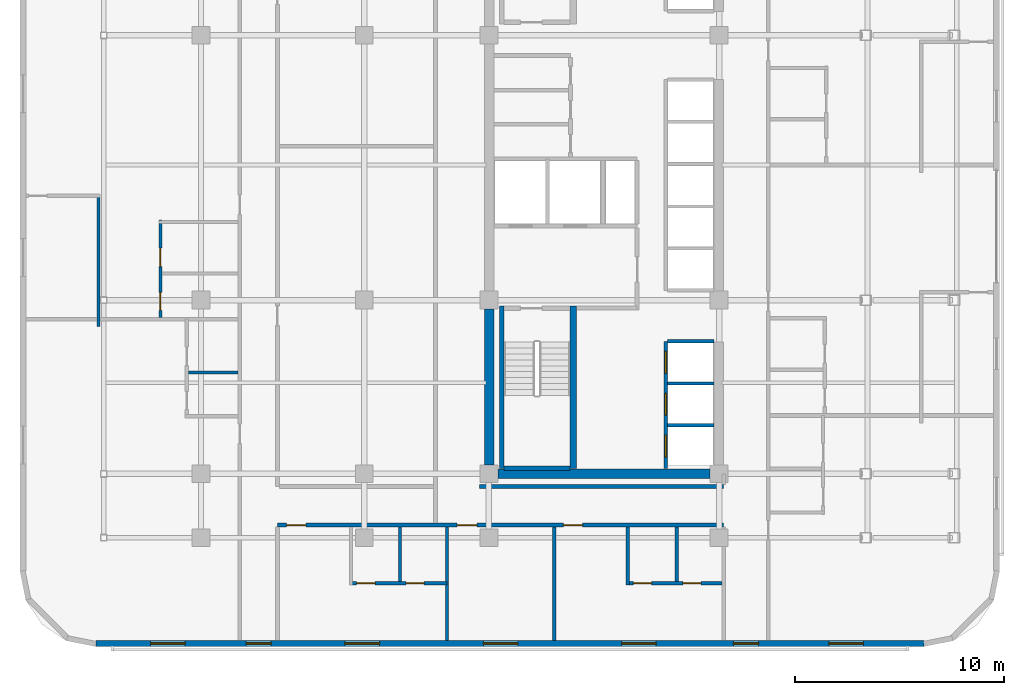
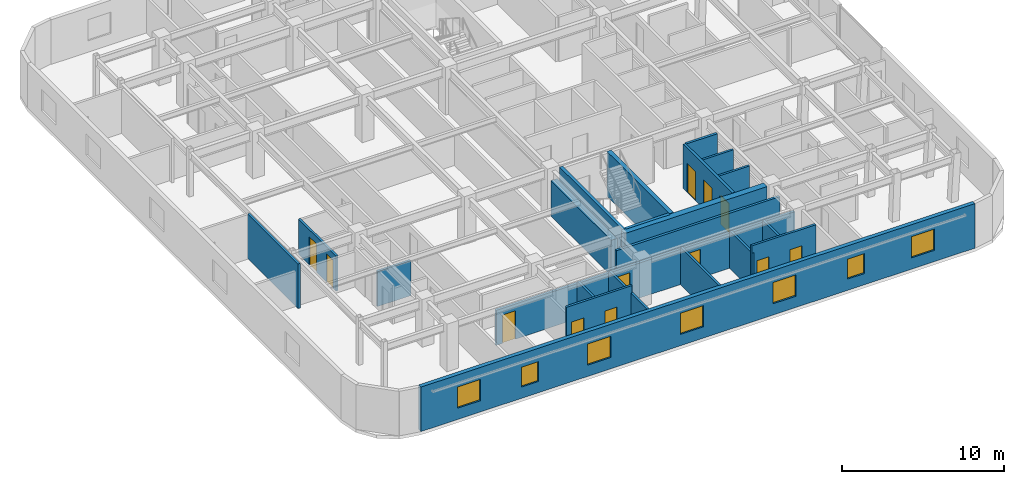
# One storey, part 7 of 15: 22 walls, 12 doors, 7 windows, 19 openings.
"""IFC4 building model written with IfcOpenShell, lengths in metres."""

from ifc_helpers import new_model, si_unit, direction, frame, frame_2d, origin, place, context, subcontext, project, spatial, rectangle, extrude, material, layer, layer_set, type_object, element, fill, save


model = new_model("IFC4")

# Units and contexts
model_context = context("Model", 3, precision=1e-05, world=origin(), true_north=direction((0.0, 1.0)))
body_context = subcontext(model_context, "Body", "Model", "MODEL_VIEW")
ifc_project = project(units=[si_unit("LENGTHUNIT", "METRE"), si_unit("AREAUNIT", "SQUARE_METRE"), si_unit("VOLUMEUNIT", "CUBIC_METRE"), si_unit("PLANEANGLEUNIT", "RADIAN"), si_unit("MASSUNIT", "GRAM", prefix="KILO")], contexts=[model_context])

# Site, building, storey
site_placement = place(None, origin())
site = spatial("IfcSite", under=ifc_project, at=site_placement, CompositionType="ELEMENT")
building_placement = place(site_placement, origin())
building = spatial("IfcBuilding", under=site, at=building_placement, Name="Ochreholt Gables", CompositionType="ELEMENT")
storey_placement = place(building_placement, frame((0.0, 0.0, 64.199951171875)))
storey = spatial("IfcBuildingStorey", under=building, at=storey_placement, Name="L16", CompositionType="ELEMENT", Elevation=64.199951171875)

# Walls
ifc_material_1 = material(Name="Concrete 60 MPa", Category="concrete")
ifc_layer_1 = layer(ifc_material_1, 0.449951171875, Name="Concrete 60 MPa")
ifc_layer_set_1 = layer_set([ifc_layer_1], Name="Concrete 60 MPa")
wall_type_1 = type_object("IfcWallType", Name="WALL-CSW-450", PredefinedType="SHEAR", material=ifc_layer_set_1)
wall_1_placement = place(storey_placement, frame((24.22509765625, 9.675048828125, 0.0), z_axis=(0.0, 0.0, 1.0), x_axis=(0.0, 1.0, 0.0)))
element("IfcWall", 1, at=wall_1_placement, inside=storey, type_object=wall_type_1, Name="L16 Core West Shear Wall WS", PredefinedType="SHEAR", context=body_context, shape_type="SweptSolid", body=[
    extrude(rectangle(XDim=7.449951171875, YDim=0.449951171875, at=frame_2d((3.72509765625, 0.0))), origin(), (0.0, 0.0, 1.0), 2.6669921875),
])
wall_2_placement = place(storey_placement, frame((24.625, 9.25, 0.0), z_axis=(0.0, 0.0, 1.0), x_axis=(1.0, 0.0, 0.0)))
element("IfcWall", 2, at=wall_2_placement, inside=storey, type_object=wall_type_1, Name="L16 Core South Shear Wall", PredefinedType="SHEAR", context=body_context, shape_type="SweptSolid", body=[
    extrude(rectangle(XDim=10.14990234375, YDim=0.449951171875, at=frame_2d((5.074951171875, 0.0))), origin(), (0.0, 0.0, 1.0), 3.360107421875),
])

# Wall, openings, windows
ifc_material_2 = material(Name="Precast concrete 40 MPa", Category="concrete")
ifc_layer_2 = layer(ifc_material_2, 0.2900390625, Name="Precast concrete 40 MPa")
ifc_layer_set_2 = layer_set([ifc_layer_2], Name="Precast concrete 40 MPa")
wall_type_2 = type_object("IfcWallType", Name="WALL-EXT-290", PredefinedType="SOLIDWALL", material=ifc_layer_set_2)
wall_3_placement = place(storey_placement, frame((5.419921875, 1.14501953125, 0.0), z_axis=(0.0, 0.0, 1.0), x_axis=(1.0, 0.0, 0.0)))
wall_3 = element("IfcWall", 3, at=wall_3_placement, inside=storey, type_object=wall_type_2, Name="L16 South Exterior Wall", PredefinedType="SOLIDWALL", context=body_context, shape_type="SweptSolid", body=[
    extrude(rectangle(XDim=39.56005859375, YDim=0.2900390625, at=frame_2d((19.780029296875, 0.0))), origin(), (0.0, 0.0, 1.0), 3.360107421875),
])
opening_1_placement = place(wall_3_placement, frame((2.614990234375, 0.0, 0.85009765625)))
opening_1 = element("IfcOpeningElement", 4, at=opening_1_placement, cuts=wall_3, Name="Opening WN-7", PredefinedType="OPENING", context=body_context, shape_type="SweptSolid", body=[
    extrude(rectangle(XDim=1.64990234375, YDim=1.60009765625, at=frame_2d((0.824951171875, 0.800048828125))), frame((0.0, 0.155029296875, 0.0), z_axis=(0.0, -1.0, 0.0), x_axis=(1.0, 0.0, 0.0)), (0.0, 0.0, 1.0), 0.31005859375),
])
opening_2_placement = place(wall_3_placement, frame((7.179931640625, 0.0, 0.85009765625)))
opening_2 = element("IfcOpeningElement", 5, at=opening_2_placement, cuts=wall_3, Name="Opening WN-3", PredefinedType="OPENING", context=body_context, shape_type="SweptSolid", body=[
    extrude(rectangle(XDim=1.199951171875, YDim=1.5, at=frame_2d((0.60009765625, 0.75))), frame((0.0, 0.155029296875, 0.0), z_axis=(0.0, -1.0, 0.0), x_axis=(1.0, 0.0, 0.0)), (0.0, 0.0, 1.0), 0.31005859375),
])
opening_3_placement = place(wall_3_placement, frame((11.90576171875, 0.0, 0.85009765625)))
opening_3 = element("IfcOpeningElement", 6, at=opening_3_placement, cuts=wall_3, Name="Opening WN-7", PredefinedType="OPENING", context=body_context, shape_type="SweptSolid", body=[
    extrude(rectangle(XDim=1.64990234375, YDim=1.60009765625, at=frame_2d((0.824951171875, 0.800048828125))), frame((0.0, 0.155029296875, 0.0), z_axis=(0.0, -1.0, 0.0), x_axis=(1.0, 0.0, 0.0)), (0.0, 0.0, 1.0), 0.31005859375),
])
opening_4_placement = place(wall_3_placement, frame((18.514892578125, 0.0, 0.85009765625)))
opening_4 = element("IfcOpeningElement", 7, at=opening_4_placement, cuts=wall_3, Name="Opening WN-7", PredefinedType="OPENING", context=body_context, shape_type="SweptSolid", body=[
    extrude(rectangle(XDim=1.64990234375, YDim=1.60009765625, at=frame_2d((0.824951171875, 0.800048828125))), frame((0.0, 0.155029296875, 0.0), z_axis=(0.0, -1.0, 0.0), x_axis=(1.0, 0.0, 0.0)), (0.0, 0.0, 1.0), 0.31005859375),
])
opening_5_placement = place(wall_3_placement, frame((25.124267578125, 0.0, 0.85009765625)))
opening_5 = element("IfcOpeningElement", 8, at=opening_5_placement, cuts=wall_3, Name="Opening WN-7", PredefinedType="OPENING", context=body_context, shape_type="SweptSolid", body=[
    extrude(rectangle(XDim=1.64990234375, YDim=1.60009765625, at=frame_2d((0.824951171875, 0.800048828125))), frame((0.0, 0.155029296875, 0.0), z_axis=(0.0, -1.0, 0.0), x_axis=(1.0, 0.0, 0.0)), (0.0, 0.0, 1.0), 0.31005859375),
])
opening_6_placement = place(wall_3_placement, frame((30.465087890625, 0.0, 0.85009765625)))
opening_6 = element("IfcOpeningElement", 9, at=opening_6_placement, cuts=wall_3, Name="Opening WN-3", PredefinedType="OPENING", context=body_context, shape_type="SweptSolid", body=[
    extrude(rectangle(XDim=1.199951171875, YDim=1.5, at=frame_2d((0.60009765625, 0.75))), frame((0.0, 0.155029296875, 0.0), z_axis=(0.0, -1.0, 0.0), x_axis=(1.0, 0.0, 0.0)), (0.0, 0.0, 1.0), 0.31005859375),
])
opening_7_placement = place(wall_3_placement, frame((35.02001953125, 0.0, 0.85009765625)))
opening_7 = element("IfcOpeningElement", 10, at=opening_7_placement, cuts=wall_3, Name="Opening WN-7", PredefinedType="OPENING", context=body_context, shape_type="SweptSolid", body=[
    extrude(rectangle(XDim=1.64990234375, YDim=1.60009765625, at=frame_2d((0.824951171875, 0.800048828125))), frame((0.0, 0.155029296875, 0.0), z_axis=(0.0, -1.0, 0.0), x_axis=(1.0, 0.0, 0.0)), (0.0, 0.0, 1.0), 0.31005859375),
])
ifc_material_3 = material(Name="Triple-Glazed Thermally Broken Aluminium Window", Category="aluminium")
window_type_1 = type_object("IfcWindowType", Name="WIN-RES-1200", PartitioningType="SINGLE_PANEL", PredefinedType="WINDOW", material=ifc_material_3)
window_1_placement = place(opening_2_placement, origin())
window_1 = element("IfcWindow", 11, at=window_1_placement, inside=storey, type_object=window_type_1, Name="L16 Window W-EXT-S-L16-2", OverallHeight=1.5, OverallWidth=1.199951171875, PartitioningType="SINGLE_PANEL", PredefinedType="WINDOW", context=body_context, shape_type="SweptSolid", body=[
    extrude(rectangle(XDim=1.199951171875, YDim=1.5, at=frame_2d((0.60009765625, 0.75))), frame((0.0, 0.030029296875, 0.0), z_axis=(0.0, -1.0, 0.0), x_axis=(1.0, 0.0, 0.0)), (0.0, 0.0, 1.0), 0.06005859375),
])
fill(opening_2, window_1)
window_2_placement = place(opening_6_placement, origin())
window_2 = element("IfcWindow", 12, at=window_2_placement, inside=storey, type_object=window_type_1, Name="L16 Window W-EXT-S-L16-6", OverallHeight=1.5, OverallWidth=1.199951171875, PartitioningType="SINGLE_PANEL", PredefinedType="WINDOW", context=body_context, shape_type="SweptSolid", body=[
    extrude(rectangle(XDim=1.199951171875, YDim=1.5, at=frame_2d((0.60009765625, 0.75))), frame((0.0, 0.030029296875, 0.0), z_axis=(0.0, -1.0, 0.0), x_axis=(1.0, 0.0, 0.0)), (0.0, 0.0, 1.0), 0.06005859375),
])
fill(opening_6, window_2)
window_type_2 = type_object("IfcWindowType", Name="WIN-RES-1650", PartitioningType="SINGLE_PANEL", PredefinedType="WINDOW", material=ifc_material_3)
window_3_placement = place(opening_1_placement, origin())
window_3 = element("IfcWindow", 13, at=window_3_placement, inside=storey, type_object=window_type_2, Name="L16 Window W-EXT-S-L16-1", OverallHeight=1.60009765625, OverallWidth=1.64990234375, PartitioningType="SINGLE_PANEL", PredefinedType="WINDOW", context=body_context, shape_type="SweptSolid", body=[
    extrude(rectangle(XDim=1.64990234375, YDim=1.60009765625, at=frame_2d((0.824951171875, 0.800048828125))), frame((0.0, 0.030029296875, 0.0), z_axis=(0.0, -1.0, 0.0), x_axis=(1.0, 0.0, 0.0)), (0.0, 0.0, 1.0), 0.06005859375),
])
fill(opening_1, window_3)
window_4_placement = place(opening_3_placement, origin())
window_4 = element("IfcWindow", 14, at=window_4_placement, inside=storey, type_object=window_type_2, Name="L16 Window W-EXT-S-L16-3", OverallHeight=1.60009765625, OverallWidth=1.64990234375, PartitioningType="SINGLE_PANEL", PredefinedType="WINDOW", context=body_context, shape_type="SweptSolid", body=[
    extrude(rectangle(XDim=1.64990234375, YDim=1.60009765625, at=frame_2d((0.824951171875, 0.800048828125))), frame((0.0, 0.030029296875, 0.0), z_axis=(0.0, -1.0, 0.0), x_axis=(1.0, 0.0, 0.0)), (0.0, 0.0, 1.0), 0.06005859375),
])
fill(opening_3, window_4)
window_5_placement = place(opening_4_placement, origin())
window_5 = element("IfcWindow", 15, at=window_5_placement, inside=storey, type_object=window_type_2, Name="L16 Window W-EXT-S-L16-4", OverallHeight=1.60009765625, OverallWidth=1.64990234375, PartitioningType="SINGLE_PANEL", PredefinedType="WINDOW", context=body_context, shape_type="SweptSolid", body=[
    extrude(rectangle(XDim=1.64990234375, YDim=1.60009765625, at=frame_2d((0.824951171875, 0.800048828125))), frame((0.0, 0.030029296875, 0.0), z_axis=(0.0, -1.0, 0.0), x_axis=(1.0, 0.0, 0.0)), (0.0, 0.0, 1.0), 0.06005859375),
])
fill(opening_4, window_5)
window_6_placement = place(opening_5_placement, origin())
window_6 = element("IfcWindow", 16, at=window_6_placement, inside=storey, type_object=window_type_2, Name="L16 Window W-EXT-S-L16-5", OverallHeight=1.60009765625, OverallWidth=1.64990234375, PartitioningType="SINGLE_PANEL", PredefinedType="WINDOW", context=body_context, shape_type="SweptSolid", body=[
    extrude(rectangle(XDim=1.64990234375, YDim=1.60009765625, at=frame_2d((0.824951171875, 0.800048828125))), frame((0.0, 0.030029296875, 0.0), z_axis=(0.0, -1.0, 0.0), x_axis=(1.0, 0.0, 0.0)), (0.0, 0.0, 1.0), 0.06005859375),
])
fill(opening_5, window_6)
window_7_placement = place(opening_7_placement, origin())
window_7 = element("IfcWindow", 17, at=window_7_placement, inside=storey, type_object=window_type_2, Name="L16 Window W-EXT-S-L16-7", OverallHeight=1.60009765625, OverallWidth=1.64990234375, PartitioningType="SINGLE_PANEL", PredefinedType="WINDOW", context=body_context, shape_type="SweptSolid", body=[
    extrude(rectangle(XDim=1.64990234375, YDim=1.60009765625, at=frame_2d((0.824951171875, 0.800048828125))), frame((0.0, 0.030029296875, 0.0), z_axis=(0.0, -1.0, 0.0), x_axis=(1.0, 0.0, 0.0)), (0.0, 0.0, 1.0), 0.06005859375),
])
fill(opening_7, window_7)

# Wall, openings, doors
ifc_material_4 = material(Name="Fire-Rated Gypsum Acoustic Partition", Category="gypsum")
ifc_layer_3 = layer(ifc_material_4, 0.179931640625, Name="Fire-Rated Gypsum Acoustic Partition")
ifc_layer_set_3 = layer_set([ifc_layer_3], Name="Fire-Rated Gypsum Acoustic Partition")
wall_type_3 = type_object("IfcWallType", Name="WALL-INT-CR180", PredefinedType="STANDARD", material=ifc_layer_set_3)
wall_4_placement = place(storey_placement, frame((14.10009765625, 6.800048828125, 0.0), z_axis=(0.0, 0.0, 1.0), x_axis=(1.0, 0.0, 0.0)))
wall_4 = element("IfcWall", 18, at=wall_4_placement, inside=storey, type_object=wall_type_3, Name="L16 Interior Wall WI-C1S-L16", PredefinedType="STANDARD", context=body_context, shape_type="SweptSolid", body=[
    extrude(rectangle(XDim=21.31982421875, YDim=0.179931640625, at=frame_2d((10.659912109375, 0.0))), origin(), (0.0, 0.0, 1.0), 2.649169921875),
])
opening_8_placement = place(wall_4_placement, frame((0.43994140625, 0.0, 0.0)))
opening_8 = element("IfcOpeningElement", 19, at=opening_8_placement, cuts=wall_4, Name="Opening D-UN1", PredefinedType="OPENING", context=body_context, shape_type="SweptSolid", body=[
    extrude(rectangle(XDim=0.919921875, YDim=2.14990234375, at=frame_2d((0.4599609375, 1.074951171875))), frame((0.0, 0.099853515625, 0.0), z_axis=(0.0, -1.0, 0.0), x_axis=(1.0, 0.0, 0.0)), (0.0, 0.0, 1.0), 0.199951171875),
])
opening_9_placement = place(wall_4_placement, frame((8.58154296875, 0.0, 0.0)))
opening_9 = element("IfcOpeningElement", 20, at=opening_9_placement, cuts=wall_4, Name="Opening D-GN1", PredefinedType="OPENING", context=body_context, shape_type="SweptSolid", body=[
    extrude(rectangle(XDim=0.949951171875, YDim=2.14990234375, at=frame_2d((0.47509765625, 1.074951171875))), frame((0.0, 0.099853515625, 0.0), z_axis=(0.0, -1.0, 0.0), x_axis=(1.0, 0.0, 0.0)), (0.0, 0.0, 1.0), 0.199951171875),
])
opening_10_placement = place(wall_4_placement, frame((13.658447265625, 0.0, 0.0)))
opening_10 = element("IfcOpeningElement", 21, at=opening_10_placement, cuts=wall_4, Name="Opening D-UN1", PredefinedType="OPENING", context=body_context, shape_type="SweptSolid", body=[
    extrude(rectangle(XDim=0.919921875, YDim=2.14990234375, at=frame_2d((0.4599609375, 1.074951171875))), frame((0.0, 0.099853515625, 0.0), z_axis=(0.0, -1.0, 0.0), x_axis=(1.0, 0.0, 0.0)), (0.0, 0.0, 1.0), 0.199951171875),
])
ifc_material_5 = material(Name="Engineered Oak Timber", Category="wood")
door_type_1 = type_object("IfcDoorType", Name="DR-INT-GEN950", OperationType="NOTDEFINED", PredefinedType="DOOR", material=ifc_material_5)
door_1_placement = place(opening_9_placement, origin())
door_1 = element("IfcDoor", 22, at=door_1_placement, inside=storey, type_object=door_type_1, Name="L16 Door D-C1S3-L16", OperationType="SINGLE_SWING_LEFT", OverallHeight=2.14990234375, OverallWidth=0.949951171875, PredefinedType="DOOR", context=body_context, shape_type="SweptSolid", body=[
    extrude(rectangle(XDim=0.949951171875, YDim=2.14990234375, at=frame_2d((0.47509765625, 1.074951171875))), frame((0.0, 0.02490234375, 0.0), z_axis=(0.0, -1.0, 0.0), x_axis=(1.0, 0.0, 0.0)), (0.0, 0.0, 1.0), 0.050048828125),
])
fill(opening_9, door_1)
door_type_2 = type_object("IfcDoorType", Name="DR-INT-UNT920", OperationType="NOTDEFINED", PredefinedType="DOOR", material=ifc_material_5)
door_2_placement = place(opening_8_placement, origin())
door_2 = element("IfcDoor", 23, at=door_2_placement, inside=storey, type_object=door_type_2, Name="L16 Door D-U-L16S1-ENT", OperationType="SINGLE_SWING_RIGHT", OverallHeight=2.14990234375, OverallWidth=0.919921875, PredefinedType="DOOR", context=body_context, shape_type="SweptSolid", body=[
    extrude(rectangle(XDim=0.919921875, YDim=2.14990234375, at=frame_2d((0.4599609375, 1.074951171875))), frame((0.0, 0.02490234375, 0.0), z_axis=(0.0, -1.0, 0.0), x_axis=(1.0, 0.0, 0.0)), (0.0, 0.0, 1.0), 0.050048828125),
])
fill(opening_8, door_2)
door_3_placement = place(opening_10_placement, origin())
door_3 = element("IfcDoor", 24, at=door_3_placement, inside=storey, type_object=door_type_2, Name="L16 Door D-U-L16S3-ENT", OperationType="SINGLE_SWING_RIGHT", OverallHeight=2.14990234375, OverallWidth=0.919921875, PredefinedType="DOOR", context=body_context, shape_type="SweptSolid", body=[
    extrude(rectangle(XDim=0.919921875, YDim=2.14990234375, at=frame_2d((0.4599609375, 1.074951171875))), frame((0.0, 0.02490234375, 0.0), z_axis=(0.0, -1.0, 0.0), x_axis=(1.0, 0.0, 0.0)), (0.0, 0.0, 1.0), 0.050048828125),
])
fill(opening_10, door_3)

# Walls
wall_5_placement = place(storey_placement, frame((23.75, 8.64990234375, 0.0), z_axis=(0.0, 0.0, 1.0), x_axis=(1.0, 0.0, 0.0)))
element("IfcWall", 25, at=wall_5_placement, inside=storey, type_object=wall_type_3, Name="L16 Interior Wall WI-C1S2-L16", PredefinedType="STANDARD", context=body_context, shape_type="SweptSolid", body=[
    extrude(rectangle(XDim=11.669921875, YDim=0.179931640625, at=frame_2d((5.8349609375, 0.0))), origin(), (0.0, 0.0, 1.0), 2.649169921875),
])
ifc_material_6 = material(Name="Moisture-Resistant Plumbing Chase Wall", Category="gypsum")
ifc_layer_4 = layer(ifc_material_6, 0.159912109375, Name="Moisture-Resistant Plumbing Chase Wall")
ifc_layer_set_4 = layer_set([ifc_layer_4], Name="Moisture-Resistant Plumbing Chase Wall")
wall_type_4 = type_object("IfcWallType", Name="WALL-INT-PL160", PredefinedType="PLUMBINGWALL", material=ifc_layer_set_4)
wall_6_placement = place(storey_placement, frame((9.840087890625, 14.093017578125, 0.0), z_axis=(0.0, 0.0, 1.0), x_axis=(1.0, 0.0, 0.0)))
element("IfcWall", 26, at=wall_6_placement, inside=storey, type_object=wall_type_4, Name="L16 Interior Wall WU-L16W1-WM", PredefinedType="PLUMBINGWALL", context=body_context, shape_type="SweptSolid", body=[
    extrude(rectangle(XDim=2.369873046875, YDim=0.159912109375, at=frame_2d((1.18505859375, 0.0))), origin(), (0.0, 0.0, 1.0), 2.649169921875),
])

# Wall, openings, doors
wall_7_placement = place(storey_placement, frame((8.510009765625, 16.72998046875, 0.0), z_axis=(0.0, 0.0, 1.0), x_axis=(0.0, 1.0, 0.0)))
wall_7 = element("IfcWall", 27, at=wall_7_placement, inside=storey, type_object=wall_type_4, Name="L16 Interior Wall WU-L16W2-WX", PredefinedType="PLUMBINGWALL", context=body_context, shape_type="SweptSolid", body=[
    extrude(rectangle(XDim=4.64013671875, YDim=0.159912109375, at=frame_2d((2.320068359375, 0.0))), origin(), (0.0, 0.0, 1.0), 2.649169921875),
])
opening_11_placement = place(wall_7_placement, frame((0.330078125, 0.0, 0.0)))
opening_11 = element("IfcOpeningElement", 28, at=opening_11_placement, cuts=wall_7, Name="Opening D-BT1", PredefinedType="OPENING", context=body_context, shape_type="SweptSolid", body=[
    extrude(rectangle(XDim=0.860107421875, YDim=2.1201171875, at=frame_2d((0.43017578125, 1.06005859375))), frame((0.0, 0.08984375, 0.0), z_axis=(0.0, -1.0, 0.0), x_axis=(1.0, 0.0, 0.0)), (0.0, 0.0, 1.0), 0.179931640625),
])
opening_12_placement = place(wall_7_placement, frame((2.423095703125, 0.0, 0.0)))
opening_12 = element("IfcOpeningElement", 29, at=opening_12_placement, cuts=wall_7, Name="Opening D-GN2", PredefinedType="OPENING", context=body_context, shape_type="SweptSolid", body=[
    extrude(rectangle(XDim=0.8798828125, YDim=2.1201171875, at=frame_2d((0.43994140625, 1.06005859375))), frame((0.0, 0.08984375, 0.0), z_axis=(0.0, -1.0, 0.0), x_axis=(1.0, 0.0, 0.0)), (0.0, 0.0, 1.0), 0.179931640625),
])
door_type_3 = type_object("IfcDoorType", Name="DR-INT-BTH860", OperationType="NOTDEFINED", PredefinedType="DOOR", material=ifc_material_5)
door_4_placement = place(opening_11_placement, origin())
door_4 = element("IfcDoor", 30, at=door_4_placement, inside=storey, type_object=door_type_3, Name="L16 Door D-U-L16W2-BTH", OperationType="SINGLE_SWING_RIGHT", OverallHeight=2.1201171875, OverallWidth=0.860107421875, PredefinedType="DOOR", context=body_context, shape_type="SweptSolid", body=[
    extrude(rectangle(XDim=0.860107421875, YDim=2.1201171875, at=frame_2d((0.43017578125, 1.06005859375))), frame((0.0, 0.02490234375, 0.0), z_axis=(0.0, -1.0, 0.0), x_axis=(1.0, 0.0, 0.0)), (0.0, 0.0, 1.0), 0.050048828125),
])
fill(opening_11, door_4)
door_type_4 = type_object("IfcDoorType", Name="DR-INT-GEN880", OperationType="NOTDEFINED", PredefinedType="DOOR", material=ifc_material_5)
door_5_placement = place(opening_12_placement, origin())
door_5 = element("IfcDoor", 31, at=door_5_placement, inside=storey, type_object=door_type_4, Name="L16 Door D-U-L16W2-KIT", OperationType="SINGLE_SWING_LEFT", OverallHeight=2.1201171875, OverallWidth=0.8798828125, PredefinedType="DOOR", context=body_context, shape_type="SweptSolid", body=[
    extrude(rectangle(XDim=0.8798828125, YDim=2.1201171875, at=frame_2d((0.43994140625, 1.06005859375))), frame((0.0, 0.02490234375, 0.0), z_axis=(0.0, -1.0, 0.0), x_axis=(1.0, 0.0, 0.0)), (0.0, 0.0, 1.0), 0.050048828125),
])
fill(opening_12, door_5)

wall_8_placement = place(storey_placement, frame((17.531494140625, 4.030029296875, 0.0), z_axis=(0.0, 0.0, 1.0), x_axis=(1.0, 0.0, 0.0)))
wall_8 = element("IfcWall", 32, at=wall_8_placement, inside=storey, type_object=wall_type_4, Name="L16 Interior Wall WU-L16S1-WY", PredefinedType="PLUMBINGWALL", context=body_context, shape_type="SweptSolid", body=[
    extrude(rectangle(XDim=4.670166015625, YDim=0.159912109375, at=frame_2d((2.3349609375, 0.0))), origin(), (0.0, 0.0, 1.0), 3.360107421875),
])
opening_13_placement = place(wall_8_placement, frame((0.35009765625, 0.0, 0.0)))
opening_13 = element("IfcOpeningElement", 33, at=opening_13_placement, cuts=wall_8, Name="Opening D-GN2", PredefinedType="OPENING", context=body_context, shape_type="SweptSolid", body=[
    extrude(rectangle(XDim=0.8798828125, YDim=2.1201171875, at=frame_2d((0.43994140625, 1.06005859375))), frame((0.0, 0.08984375, 0.0), z_axis=(0.0, -1.0, 0.0), x_axis=(1.0, 0.0, 0.0)), (0.0, 0.0, 1.0), 0.179931640625),
])
opening_14_placement = place(wall_8_placement, frame((2.719970703125, 0.0, 0.0)))
opening_14 = element("IfcOpeningElement", 34, at=opening_14_placement, cuts=wall_8, Name="Opening D-BT1", PredefinedType="OPENING", context=body_context, shape_type="SweptSolid", body=[
    extrude(rectangle(XDim=0.860107421875, YDim=2.1201171875, at=frame_2d((0.43017578125, 1.06005859375))), frame((0.0, 0.08984375, 0.0), z_axis=(0.0, -1.0, 0.0), x_axis=(1.0, 0.0, 0.0)), (0.0, 0.0, 1.0), 0.179931640625),
])
door_6_placement = place(opening_14_placement, origin())
door_6 = element("IfcDoor", 35, at=door_6_placement, inside=storey, type_object=door_type_3, Name="L16 Door D-U-L16S1-BTH", OperationType="SINGLE_SWING_RIGHT", OverallHeight=2.1201171875, OverallWidth=0.860107421875, PredefinedType="DOOR", context=body_context, shape_type="SweptSolid", body=[
    extrude(rectangle(XDim=0.860107421875, YDim=2.1201171875, at=frame_2d((0.43017578125, 1.06005859375))), frame((0.0, 0.02490234375, 0.0), z_axis=(0.0, -1.0, 0.0), x_axis=(1.0, 0.0, 0.0)), (0.0, 0.0, 1.0), 0.050048828125),
])
fill(opening_14, door_6)
door_7_placement = place(opening_13_placement, origin())
door_7 = element("IfcDoor", 36, at=door_7_placement, inside=storey, type_object=door_type_4, Name="L16 Door D-U-L16S1-KIT", OperationType="SINGLE_SWING_LEFT", OverallHeight=2.1201171875, OverallWidth=0.8798828125, PredefinedType="DOOR", context=body_context, shape_type="SweptSolid", body=[
    extrude(rectangle(XDim=0.8798828125, YDim=2.1201171875, at=frame_2d((0.43994140625, 1.06005859375))), frame((0.0, 0.02490234375, 0.0), z_axis=(0.0, -1.0, 0.0), x_axis=(1.0, 0.0, 0.0)), (0.0, 0.0, 1.0), 0.050048828125),
])
fill(opening_13, door_7)

# Wall
wall_9_placement = place(storey_placement, frame((19.95166015625, 4.110107421875, 0.0), z_axis=(0.0, 0.0, 1.0), x_axis=(0.0, 1.0, 0.0)))
element("IfcWall", 37, at=wall_9_placement, inside=storey, type_object=wall_type_4, Name="L16 Interior Wall WU-L16S1-WK", PredefinedType="PLUMBINGWALL", context=body_context, shape_type="SweptSolid", body=[
    extrude(rectangle(XDim=2.599853515625, YDim=0.159912109375, at=frame_2d((1.2998046875, 0.0))), origin(), (0.0, 0.0, 1.0), 2.80908203125),
])

# Wall, openings, doors
wall_10_placement = place(storey_placement, frame((30.75, 4.030029296875, 0.0), z_axis=(0.0, 0.0, 1.0), x_axis=(1.0, 0.0, 0.0)))
wall_10 = element("IfcWall", 38, at=wall_10_placement, inside=storey, type_object=wall_type_4, Name="L16 Interior Wall WU-L16S3-WY", PredefinedType="PLUMBINGWALL", context=body_context, shape_type="SweptSolid", body=[
    extrude(rectangle(XDim=4.580078125, YDim=0.159912109375, at=frame_2d((2.2900390625, 0.0))), origin(), (0.0, 0.0, 1.0), 3.360107421875),
])
opening_15_placement = place(wall_10_placement, frame((0.35009765625, 0.0, 0.0)))
opening_15 = element("IfcOpeningElement", 39, at=opening_15_placement, cuts=wall_10, Name="Opening D-GN2", PredefinedType="OPENING", context=body_context, shape_type="SweptSolid", body=[
    extrude(rectangle(XDim=0.8798828125, YDim=2.1201171875, at=frame_2d((0.43994140625, 1.06005859375))), frame((0.0, 0.08984375, 0.0), z_axis=(0.0, -1.0, 0.0), x_axis=(1.0, 0.0, 0.0)), (0.0, 0.0, 1.0), 0.179931640625),
])
opening_16_placement = place(wall_10_placement, frame((2.719970703125, 0.0, 0.0)))
opening_16 = element("IfcOpeningElement", 40, at=opening_16_placement, cuts=wall_10, Name="Opening D-BT1", PredefinedType="OPENING", context=body_context, shape_type="SweptSolid", body=[
    extrude(rectangle(XDim=0.860107421875, YDim=2.1201171875, at=frame_2d((0.43017578125, 1.06005859375))), frame((0.0, 0.08984375, 0.0), z_axis=(0.0, -1.0, 0.0), x_axis=(1.0, 0.0, 0.0)), (0.0, 0.0, 1.0), 0.179931640625),
])
door_8_placement = place(opening_16_placement, origin())
door_8 = element("IfcDoor", 41, at=door_8_placement, inside=storey, type_object=door_type_3, Name="L16 Door D-U-L16S3-BTH", OperationType="SINGLE_SWING_RIGHT", OverallHeight=2.1201171875, OverallWidth=0.860107421875, PredefinedType="DOOR", context=body_context, shape_type="SweptSolid", body=[
    extrude(rectangle(XDim=0.860107421875, YDim=2.1201171875, at=frame_2d((0.43017578125, 1.06005859375))), frame((0.0, 0.02490234375, 0.0), z_axis=(0.0, -1.0, 0.0), x_axis=(1.0, 0.0, 0.0)), (0.0, 0.0, 1.0), 0.050048828125),
])
fill(opening_16, door_8)
door_9_placement = place(opening_15_placement, origin())
door_9 = element("IfcDoor", 42, at=door_9_placement, inside=storey, type_object=door_type_4, Name="L16 Door D-U-L16S3-KIT", OperationType="SINGLE_SWING_LEFT", OverallHeight=2.1201171875, OverallWidth=0.8798828125, PredefinedType="DOOR", context=body_context, shape_type="SweptSolid", body=[
    extrude(rectangle(XDim=0.8798828125, YDim=2.1201171875, at=frame_2d((0.43994140625, 1.06005859375))), frame((0.0, 0.02490234375, 0.0), z_axis=(0.0, -1.0, 0.0), x_axis=(1.0, 0.0, 0.0)), (0.0, 0.0, 1.0), 0.050048828125),
])
fill(opening_15, door_9)

# Walls
wall_11_placement = place(storey_placement, frame((30.830078125, 3.949951171875, 0.0), z_axis=(0.0, 0.0, 1.0), x_axis=(0.0, 1.0, 0.0)))
element("IfcWall", 43, at=wall_11_placement, inside=storey, type_object=wall_type_4, Name="L16 Interior Wall WU-L16S3-FY", PredefinedType="PLUMBINGWALL", context=body_context, shape_type="SweptSolid", body=[
    extrude(rectangle(XDim=2.760009765625, YDim=0.159912109375, at=frame_2d((1.3798828125, 0.0))), origin(), (0.0, 0.0, 1.0), 2.80908203125),
])
wall_12_placement = place(storey_placement, frame((33.169921875, 4.110107421875, 0.0), z_axis=(0.0, 0.0, 1.0), x_axis=(0.0, 1.0, 0.0)))
element("IfcWall", 44, at=wall_12_placement, inside=storey, type_object=wall_type_4, Name="L16 Interior Wall WU-L16S3-WK", PredefinedType="PLUMBINGWALL", context=body_context, shape_type="SweptSolid", body=[
    extrude(rectangle(XDim=2.599853515625, YDim=0.159912109375, at=frame_2d((1.2998046875, 0.0))), origin(), (0.0, 0.0, 1.0), 2.80908203125),
])
ifc_material_7 = material(Name="Gypsum Acoustic Stud Partition", Category="gypsum")
ifc_layer_5 = layer(ifc_material_7, 0.159912109375, Name="Gypsum Acoustic Stud Partition")
ifc_layer_set_5 = layer_set([ifc_layer_5], Name="Gypsum Acoustic Stud Partition")
wall_type_5 = type_object("IfcWallType", Name="WALL-INT-PT160", PredefinedType="PARTITIONING", material=ifc_layer_set_5)
wall_13_placement = place(storey_placement, frame((5.550048828125, 16.280029296875, 0.0), z_axis=(0.0, 0.0, 1.0), x_axis=(0.0, 1.0, 0.0)))
element("IfcWall", 45, at=wall_13_placement, inside=storey, type_object=wall_type_5, Name="L16 Interior Wall WU-L16W2-STW", PredefinedType="PARTITIONING", context=body_context, shape_type="SweptSolid", body=[
    extrude(rectangle(XDim=6.25, YDim=0.159912109375, at=frame_2d((3.125, 0.0))), origin(), (0.0, 0.0, 1.0), 3.360107421875),
])
for number, where, z_axis, x_axis, name in (
    (46, (22.20166015625, 1.2900390625, 0.0), (0.0, 0.0, 1.0), (0.0, 1.0, 0.0), "L16 Interior Wall WI-UDS2-L16"),
    (47, (27.318359375, 1.2900390625, 0.0), (0.0, 0.0, 1.0), (0.0, 1.0, 0.0), "L16 Interior Wall WI-UDS3-L16"),
):
    element("IfcWall", number, at=place(storey_placement, frame(where, z_axis=z_axis, x_axis=x_axis)), inside=storey, type_object=wall_type_5, Name=name, PredefinedType="PARTITIONING", context=body_context, shape_type="SweptSolid", body=[
        extrude(rectangle(XDim=5.419921875, YDim=0.159912109375, at=frame_2d((2.7099609375, 0.0))), origin(), (0.0, 0.0, 1.0), 2.80908203125),
    ])
ifc_material_8 = material(Name="Gypsum Shaftliner and Steel Stud", Category="steel")
ifc_layer_6 = layer(ifc_material_8, 0.14990234375, Name="Gypsum Shaftliner and Steel Stud")
ifc_layer_set_6 = layer_set([ifc_layer_6], Name="Gypsum Shaftliner and Steel Stud")
wall_type_6 = type_object("IfcWallType", Name="WALL-INT-SH150", PredefinedType="STANDARD", material=ifc_layer_set_6)
for number, where, z_axis, x_axis, name in (
    (48, (32.739990234375, 11.570068359375, 0.0), (0.0, 0.0, 1.0), (1.0, 0.0, 0.0), "L16 Interior Wall WI-LFL-D1-L16"),
    (49, (32.739990234375, 13.570068359375, 0.0), (0.0, 0.0, 1.0), (1.0, 0.0, 0.0), "L16 Interior Wall WI-LFL-D2-L16"),
):
    element("IfcWall", number, at=place(storey_placement, frame(where, z_axis=z_axis, x_axis=x_axis)), inside=storey, type_object=wall_type_6, Name=name, PredefinedType="STANDARD", context=body_context, shape_type="SweptSolid", body=[
        extrude(rectangle(XDim=2.2099609375, YDim=0.14990234375, at=frame_2d((1.10498046875, 0.0))), origin(), (0.0, 0.0, 1.0), 3.360107421875),
    ])

# Wall, openings, doors
ifc_layer_7 = layer(ifc_material_8, 0.179931640625, Name="Gypsum Shaftliner and Steel Stud")
ifc_layer_set_7 = layer_set([ifc_layer_7], Name="Gypsum Shaftliner and Steel Stud")
wall_type_7 = type_object("IfcWallType", Name="WALL-INT-SH180", PredefinedType="STANDARD", material=ifc_layer_set_7)
wall_14_placement = place(storey_placement, frame((32.64990234375, 9.5, 0.0), z_axis=(0.0, 0.0, 1.0), x_axis=(0.0, 1.0, 0.0)))
wall_14 = element("IfcWall", 50, at=wall_14_placement, inside=storey, type_object=wall_type_7, Name="L16 Interior Wall WI-LFL-FR-L16", PredefinedType="STANDARD", context=body_context, shape_type="SweptSolid", body=[
    extrude(rectangle(XDim=6.080078125, YDim=0.179931640625, at=frame_2d((3.0400390625, 0.0))), origin(), (0.0, 0.0, 1.0), 3.360107421875),
])
opening_17_placement = place(wall_14_placement, frame((0.550048828125, 0.0, 0.0)))
opening_17 = element("IfcOpeningElement", 51, at=opening_17_placement, cuts=wall_14, Name="Opening LD-PX", PredefinedType="OPENING", context=body_context, shape_type="SweptSolid", body=[
    extrude(rectangle(XDim=1.050048828125, YDim=2.199951171875, at=frame_2d((0.52490234375, 1.10009765625))), frame((0.0, 0.099853515625, 0.0), z_axis=(0.0, -1.0, 0.0), x_axis=(1.0, 0.0, 0.0)), (0.0, 0.0, 1.0), 0.199951171875),
])
opening_18_placement = place(wall_14_placement, frame((2.550048828125, 0.0, 0.0)))
opening_18 = element("IfcOpeningElement", 52, at=opening_18_placement, cuts=wall_14, Name="Opening LD-PX", PredefinedType="OPENING", context=body_context, shape_type="SweptSolid", body=[
    extrude(rectangle(XDim=1.050048828125, YDim=2.199951171875, at=frame_2d((0.52490234375, 1.10009765625))), frame((0.0, 0.099853515625, 0.0), z_axis=(0.0, -1.0, 0.0), x_axis=(1.0, 0.0, 0.0)), (0.0, 0.0, 1.0), 0.199951171875),
])
opening_19_placement = place(wall_14_placement, frame((4.550048828125, 0.0, 0.0)))
opening_19 = element("IfcOpeningElement", 53, at=opening_19_placement, cuts=wall_14, Name="Opening LD-PX", PredefinedType="OPENING", context=body_context, shape_type="SweptSolid", body=[
    extrude(rectangle(XDim=1.050048828125, YDim=2.199951171875, at=frame_2d((0.52490234375, 1.10009765625))), frame((0.0, 0.099853515625, 0.0), z_axis=(0.0, -1.0, 0.0), x_axis=(1.0, 0.0, 0.0)), (0.0, 0.0, 1.0), 0.199951171875),
])
ifc_material_9 = material(Name="Stainless Steel", Category="steel")
door_type_5 = type_object("IfcDoorType", Name="DR-LFT-PX1050", OperationType="NOTDEFINED", PredefinedType="DOOR", material=ifc_material_9)
door_10_placement = place(opening_17_placement, origin())
door_10 = element("IfcDoor", 54, at=door_10_placement, inside=storey, type_object=door_type_5, Name="L16 Door LD-L1-L16", OperationType="SLIDING_TO_LEFT", OverallHeight=2.199951171875, OverallWidth=1.050048828125, PredefinedType="DOOR", context=body_context, shape_type="SweptSolid", body=[
    extrude(rectangle(XDim=1.050048828125, YDim=2.199951171875, at=frame_2d((0.52490234375, 1.10009765625))), frame((0.0, 0.02490234375, 0.0), z_axis=(0.0, -1.0, 0.0), x_axis=(1.0, 0.0, 0.0)), (0.0, 0.0, 1.0), 0.050048828125),
])
fill(opening_17, door_10)
door_11_placement = place(opening_18_placement, origin())
door_11 = element("IfcDoor", 55, at=door_11_placement, inside=storey, type_object=door_type_5, Name="L16 Door LD-L2-L16", OperationType="SLIDING_TO_LEFT", OverallHeight=2.199951171875, OverallWidth=1.050048828125, PredefinedType="DOOR", context=body_context, shape_type="SweptSolid", body=[
    extrude(rectangle(XDim=1.050048828125, YDim=2.199951171875, at=frame_2d((0.52490234375, 1.10009765625))), frame((0.0, 0.02490234375, 0.0), z_axis=(0.0, -1.0, 0.0), x_axis=(1.0, 0.0, 0.0)), (0.0, 0.0, 1.0), 0.050048828125),
])
fill(opening_18, door_11)
door_12_placement = place(opening_19_placement, origin())
door_12 = element("IfcDoor", 56, at=door_12_placement, inside=storey, type_object=door_type_5, Name="L16 Door LD-L3-L16", OperationType="SLIDING_TO_LEFT", OverallHeight=2.199951171875, OverallWidth=1.050048828125, PredefinedType="DOOR", context=body_context, shape_type="SweptSolid", body=[
    extrude(rectangle(XDim=1.050048828125, YDim=2.199951171875, at=frame_2d((0.52490234375, 1.10009765625))), frame((0.0, 0.02490234375, 0.0), z_axis=(0.0, -1.0, 0.0), x_axis=(1.0, 0.0, 0.0)), (0.0, 0.0, 1.0), 0.050048828125),
])
fill(opening_19, door_12)

# Walls
wall_15_placement = place(storey_placement, frame((32.739990234375, 15.580078125, 0.0), z_axis=(0.0, 0.0, 1.0), x_axis=(1.0, 0.0, 0.0)))
element("IfcWall", 57, at=wall_15_placement, inside=storey, type_object=wall_type_7, Name="L16 Interior Wall WI-LFL-N-L16", PredefinedType="STANDARD", context=body_context, shape_type="SweptSolid", body=[
    extrude(rectangle(XDim=2.2099609375, YDim=0.179931640625, at=frame_2d((1.10498046875, 0.0))), origin(), (0.0, 0.0, 1.0), 3.360107421875),
])
ifc_layer_8 = layer(ifc_material_1, 0.300048828125, Name="Concrete 60 MPa")
ifc_layer_set_8 = layer_set([ifc_layer_8], Name="Concrete 60 MPa")
wall_type_8 = type_object("IfcWallType", Name="WALL-SPN-300", PredefinedType="SHEAR", material=ifc_layer_set_8)
wall_16_placement = place(storey_placement, frame((28.22998046875, 9.5, 0.0), z_axis=(0.0, 0.0, 1.0), x_axis=(0.0, 1.0, 0.0)))
element("IfcWall", 58, at=wall_16_placement, inside=storey, type_object=wall_type_8, Name="L16 Core South Spine Shear Wall", PredefinedType="SHEAR", context=body_context, shape_type="SweptSolid", body=[
    extrude(rectangle(XDim=7.760009765625, YDim=0.300048828125, at=frame_2d((3.8798828125, 0.0))), origin(), (0.0, 0.0, 1.0), 3.360107421875),
])
ifc_material_10 = material(Name="Concrete 50 MPa", Category="concrete")
ifc_layer_9 = layer(ifc_material_10, 0.219970703125, Name="Concrete 50 MPa")
ifc_layer_set_9 = layer_set([ifc_layer_9], Name="Concrete 50 MPa")
wall_type_9 = type_object("IfcWallType", Name="WALL-STW-220", PredefinedType="SHEAR", material=ifc_layer_set_9)
wall_17_placement = place(storey_placement, frame((24.81005859375, 9.5, 0.0), z_axis=(0.0, 0.0, 1.0), x_axis=(0.0, 1.0, 0.0)))
element("IfcWall", 59, at=wall_17_placement, inside=storey, type_object=wall_type_9, Name="L16 Exit Stair 1 West Wall", PredefinedType="SHEAR", context=body_context, shape_type="SweptSolid", body=[
    extrude(rectangle(XDim=7.760009765625, YDim=0.219970703125, at=frame_2d((3.8798828125, 0.0))), origin(), (0.0, 0.0, 1.0), 3.360107421875),
])
wall_18_placement = place(storey_placement, frame((24.919921875, 9.510009765625, 0.0), z_axis=(0.0, 0.0, 1.0), x_axis=(1.0, 0.0, 0.0)))
element("IfcWall", 60, at=wall_18_placement, inside=storey, type_object=wall_type_9, Name="L16 Exit Stair 1 South Wall", PredefinedType="SHEAR", context=body_context, shape_type="SweptSolid", body=[
    extrude(rectangle(XDim=3.16015625, YDim=0.219970703125, at=frame_2d((1.580078125, 0.0))), origin(), (0.0, 0.0, 1.0), 3.360107421875),
])

save(model, "model.ifc")
